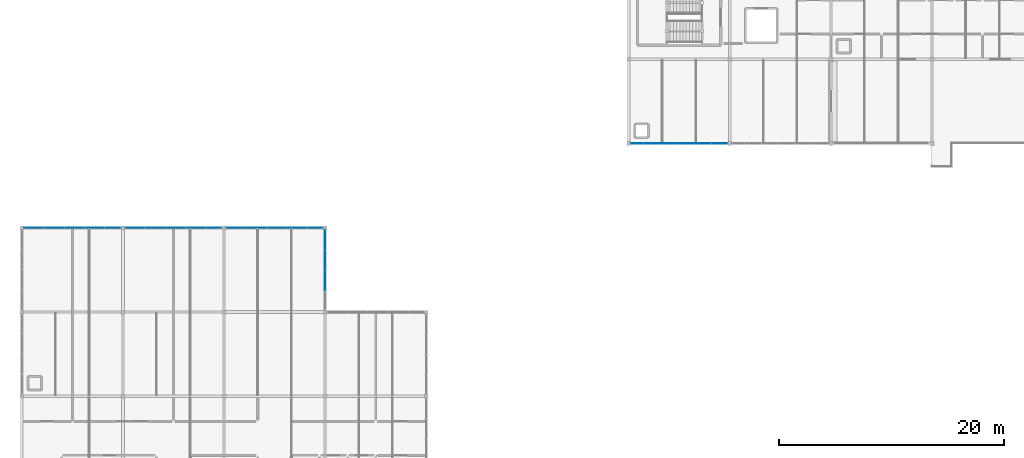
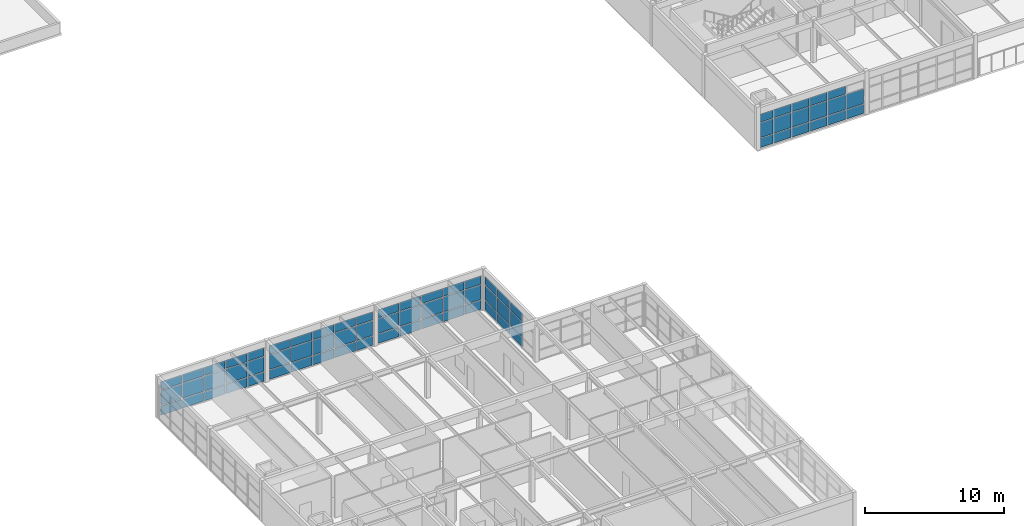
# One storey, part 13 of 24: 71 plates, 5 elements without a shape of their own.
"""IFC4 building model written with IfcOpenShell, lengths in metres."""

from ifc_helpers import new_model, si_unit, direction, frame, origin, origin_2d, place, context, subcontext, project, spatial, rectangle, extrude, material, layer, layer_set, type_object, element, aggregate, save


model = new_model("IFC4")

# Units and contexts
model_context = context("Model", 3, precision=1e-05, world=origin(), true_north=direction((0.0, 1.0)))
body_context = subcontext(model_context, "Body", "Model", "MODEL_VIEW")
ifc_project = project(units=[si_unit("LENGTHUNIT", "METRE"), si_unit("AREAUNIT", "SQUARE_METRE"), si_unit("VOLUMEUNIT", "CUBIC_METRE"), si_unit("PLANEANGLEUNIT", "RADIAN"), si_unit("MASSUNIT", "GRAM", prefix="KILO")], contexts=[model_context])

# Site, building, storey
site_placement = place(None, origin())
site = spatial("IfcSite", under=ifc_project, at=site_placement, CompositionType="ELEMENT")
building_placement = place(site_placement, origin())
building = spatial("IfcBuilding", under=site, at=building_placement, Name="Marnridge Secondary College", CompositionType="ELEMENT")
storey_placement = place(building_placement, frame((0.0, 0.0, 16.10009765625)))
storey = spatial("IfcBuildingStorey", under=building, at=storey_placement, Name="L04", CompositionType="ELEMENT", Elevation=16.10009765625)

# Curtain wall, plates
ifc_material_1 = material(Name="Thermally broken aluminium and low-E glazing", Category="aluminium")
ifc_layer_1 = layer(ifc_material_1, 0.159912109375)
ifc_layer_set_1 = layer_set([ifc_layer_1], Name="CW-MOD-1500")
curtain_wall_type_1 = type_object("IfcCurtainWallType", Name="CW-MOD-1500", PredefinedType="NOTDEFINED", material=ifc_layer_set_1)
curtain_wall_1_placement = place(storey_placement, origin())
curtain_wall_1 = element("IfcCurtainWall", 1, at=curtain_wall_1_placement, inside=storey, type_object=curtain_wall_type_1, Name="Unitised curtain wall CW-L04-139", PredefinedType="NOTDEFINED")
ifc_material_2 = material(Name="Double-glazed low-E argon unit", Category="glass")
ifc_layer_2 = layer(ifc_material_2, 0.028076171875)
ifc_layer_set_2 = layer_set([ifc_layer_2], Name="CWP-GLZ28")
plate_type_1 = type_object("IfcPlateType", Name="CWP-GLZ28", PredefinedType="CURTAIN_PANEL", material=ifc_layer_set_2)
plate_1_placement = place(storey_placement, frame((62.05859375, 45.0, 0.059814453125), z_axis=(0.0, 0.0, 1.0), x_axis=(-1.0, 0.0, 0.0)))
plate_1 = element("IfcPlate", 2, at=plate_1_placement, type_object=plate_type_1, Name="CW-L04-139 panel 1.1", PredefinedType="CURTAIN_PANEL", context=body_context, shape_type="SweptSolid", body=[
    extrude(rectangle(XDim=1.43994140625, YDim=0.028076171875, at=origin_2d()), origin(), (0.0, 0.0, 1.0), 0.81005859375),
])
plate_2_placement = place(storey_placement, frame((62.05859375, 45.0, 0.929931640625), z_axis=(0.0, 0.0, 1.0), x_axis=(-1.0, 0.0, 0.0)))
plate_2 = element("IfcPlate", 3, at=plate_2_placement, type_object=plate_type_1, Name="CW-L04-139 panel 1.2", PredefinedType="CURTAIN_PANEL", context=body_context, shape_type="SweptSolid", body=[
    extrude(rectangle(XDim=1.43994140625, YDim=0.028076171875, at=origin_2d()), origin(), (0.0, 0.0, 1.0), 1.2900390625),
])
plate_3_placement = place(storey_placement, frame((60.55859375, 45.0, 0.059814453125), z_axis=(0.0, 0.0, 1.0), x_axis=(-1.0, 0.0, 0.0)))
plate_3 = element("IfcPlate", 4, at=plate_3_placement, type_object=plate_type_1, Name="CW-L04-139 panel 2.1", PredefinedType="CURTAIN_PANEL", context=body_context, shape_type="SweptSolid", body=[
    extrude(rectangle(XDim=1.43994140625, YDim=0.028076171875, at=origin_2d()), origin(), (0.0, 0.0, 1.0), 0.81005859375),
])
plate_4_placement = place(storey_placement, frame((60.55859375, 45.0, 0.929931640625), z_axis=(0.0, 0.0, 1.0), x_axis=(-1.0, 0.0, 0.0)))
plate_4 = element("IfcPlate", 5, at=plate_4_placement, type_object=plate_type_1, Name="CW-L04-139 panel 2.2", PredefinedType="CURTAIN_PANEL", context=body_context, shape_type="SweptSolid", body=[
    extrude(rectangle(XDim=1.43994140625, YDim=0.028076171875, at=origin_2d()), origin(), (0.0, 0.0, 1.0), 1.2900390625),
])
plate_5_placement = place(storey_placement, frame((60.55859375, 45.0, 2.27978515625), z_axis=(0.0, 0.0, 1.0), x_axis=(-1.0, 0.0, 0.0)))
plate_5 = element("IfcPlate", 6, at=plate_5_placement, type_object=plate_type_1, Name="CW-L04-139 panel 2.3", PredefinedType="CURTAIN_PANEL", context=body_context, shape_type="SweptSolid", body=[
    extrude(rectangle(XDim=1.43994140625, YDim=0.028076171875, at=origin_2d()), origin(), (0.0, 0.0, 1.0), 0.70703125),
])
plate_6_placement = place(storey_placement, frame((59.05859375, 45.0, 0.059814453125), z_axis=(0.0, 0.0, 1.0), x_axis=(-1.0, 0.0, 0.0)))
plate_6 = element("IfcPlate", 7, at=plate_6_placement, type_object=plate_type_1, Name="CW-L04-139 panel 3.1", PredefinedType="CURTAIN_PANEL", context=body_context, shape_type="SweptSolid", body=[
    extrude(rectangle(XDim=1.43994140625, YDim=0.028076171875, at=origin_2d()), origin(), (0.0, 0.0, 1.0), 0.81005859375),
])
plate_7_placement = place(storey_placement, frame((59.05859375, 45.0, 0.929931640625), z_axis=(0.0, 0.0, 1.0), x_axis=(-1.0, 0.0, 0.0)))
plate_7 = element("IfcPlate", 8, at=plate_7_placement, type_object=plate_type_1, Name="CW-L04-139 panel 3.2", PredefinedType="CURTAIN_PANEL", context=body_context, shape_type="SweptSolid", body=[
    extrude(rectangle(XDim=1.43994140625, YDim=0.028076171875, at=origin_2d()), origin(), (0.0, 0.0, 1.0), 1.2900390625),
])
plate_8_placement = place(storey_placement, frame((59.05859375, 45.0, 2.27978515625), z_axis=(0.0, 0.0, 1.0), x_axis=(-1.0, 0.0, 0.0)))
plate_8 = element("IfcPlate", 9, at=plate_8_placement, type_object=plate_type_1, Name="CW-L04-139 panel 3.3", PredefinedType="CURTAIN_PANEL", context=body_context, shape_type="SweptSolid", body=[
    extrude(rectangle(XDim=1.43994140625, YDim=0.028076171875, at=origin_2d()), origin(), (0.0, 0.0, 1.0), 0.70703125),
])
plate_9_placement = place(storey_placement, frame((57.55859375, 45.0, 0.059814453125), z_axis=(0.0, 0.0, 1.0), x_axis=(-1.0, 0.0, 0.0)))
plate_9 = element("IfcPlate", 10, at=plate_9_placement, type_object=plate_type_1, Name="CW-L04-139 panel 4.1", PredefinedType="CURTAIN_PANEL", context=body_context, shape_type="SweptSolid", body=[
    extrude(rectangle(XDim=1.43994140625, YDim=0.028076171875, at=origin_2d()), origin(), (0.0, 0.0, 1.0), 0.81005859375),
])
plate_10_placement = place(storey_placement, frame((57.55859375, 45.0, 0.929931640625), z_axis=(0.0, 0.0, 1.0), x_axis=(-1.0, 0.0, 0.0)))
plate_10 = element("IfcPlate", 11, at=plate_10_placement, type_object=plate_type_1, Name="CW-L04-139 panel 4.2", PredefinedType="CURTAIN_PANEL", context=body_context, shape_type="SweptSolid", body=[
    extrude(rectangle(XDim=1.43994140625, YDim=0.028076171875, at=origin_2d()), origin(), (0.0, 0.0, 1.0), 1.2900390625),
])
plate_11_placement = place(storey_placement, frame((57.55859375, 45.0, 2.27978515625), z_axis=(0.0, 0.0, 1.0), x_axis=(-1.0, 0.0, 0.0)))
plate_11 = element("IfcPlate", 12, at=plate_11_placement, type_object=plate_type_1, Name="CW-L04-139 panel 4.3", PredefinedType="CURTAIN_PANEL", context=body_context, shape_type="SweptSolid", body=[
    extrude(rectangle(XDim=1.43994140625, YDim=0.028076171875, at=origin_2d()), origin(), (0.0, 0.0, 1.0), 0.70703125),
])
plate_12_placement = place(storey_placement, frame((56.05859375, 45.0, 0.059814453125), z_axis=(0.0, 0.0, 1.0), x_axis=(-1.0, 0.0, 0.0)))
plate_12 = element("IfcPlate", 13, at=plate_12_placement, type_object=plate_type_1, Name="CW-L04-139 panel 5.1", PredefinedType="CURTAIN_PANEL", context=body_context, shape_type="SweptSolid", body=[
    extrude(rectangle(XDim=1.43994140625, YDim=0.028076171875, at=origin_2d()), origin(), (0.0, 0.0, 1.0), 0.81005859375),
])
plate_13_placement = place(storey_placement, frame((56.05859375, 45.0, 0.929931640625), z_axis=(0.0, 0.0, 1.0), x_axis=(-1.0, 0.0, 0.0)))
plate_13 = element("IfcPlate", 14, at=plate_13_placement, type_object=plate_type_1, Name="CW-L04-139 panel 5.2", PredefinedType="CURTAIN_PANEL", context=body_context, shape_type="SweptSolid", body=[
    extrude(rectangle(XDim=1.43994140625, YDim=0.028076171875, at=origin_2d()), origin(), (0.0, 0.0, 1.0), 1.2900390625),
])
plate_14_placement = place(storey_placement, frame((56.05859375, 45.0, 2.27978515625), z_axis=(0.0, 0.0, 1.0), x_axis=(-1.0, 0.0, 0.0)))
plate_14 = element("IfcPlate", 15, at=plate_14_placement, type_object=plate_type_1, Name="CW-L04-139 panel 5.3", PredefinedType="CURTAIN_PANEL", context=body_context, shape_type="SweptSolid", body=[
    extrude(rectangle(XDim=1.43994140625, YDim=0.028076171875, at=origin_2d()), origin(), (0.0, 0.0, 1.0), 0.70703125),
])
plate_15_placement = place(storey_placement, frame((54.75, 45.0, 0.059814453125), z_axis=(0.0, 0.0, 1.0), x_axis=(-1.0, 0.0, 0.0)))
plate_15 = element("IfcPlate", 16, at=plate_15_placement, type_object=plate_type_1, Name="CW-L04-139 panel 6.1", PredefinedType="CURTAIN_PANEL", context=body_context, shape_type="SweptSolid", body=[
    extrude(rectangle(XDim=1.056884765625, YDim=0.028076171875, at=origin_2d()), origin(), (0.0, 0.0, 1.0), 0.81005859375),
])
plate_16_placement = place(storey_placement, frame((54.75, 45.0, 0.929931640625), z_axis=(0.0, 0.0, 1.0), x_axis=(-1.0, 0.0, 0.0)))
plate_16 = element("IfcPlate", 17, at=plate_16_placement, type_object=plate_type_1, Name="CW-L04-139 panel 6.2", PredefinedType="CURTAIN_PANEL", context=body_context, shape_type="SweptSolid", body=[
    extrude(rectangle(XDim=1.056884765625, YDim=0.028076171875, at=origin_2d()), origin(), (0.0, 0.0, 1.0), 1.2900390625),
])
plate_17_placement = place(storey_placement, frame((54.75, 45.0, 2.27978515625), z_axis=(0.0, 0.0, 1.0), x_axis=(-1.0, 0.0, 0.0)))
plate_17 = element("IfcPlate", 18, at=plate_17_placement, type_object=plate_type_1, Name="CW-L04-139 panel 6.3", PredefinedType="CURTAIN_PANEL", context=body_context, shape_type="SweptSolid", body=[
    extrude(rectangle(XDim=1.056884765625, YDim=0.028076171875, at=origin_2d()), origin(), (0.0, 0.0, 1.0), 0.70703125),
])
aggregate(curtain_wall_1, [plate_1, plate_2, plate_3, plate_4, plate_5, plate_6, plate_7, plate_8, plate_9, plate_10, plate_11, plate_12, plate_13, plate_14, plate_15, plate_16, plate_17])

ifc_material_3 = material(Name="Bronze-anodised aluminium and solar-control glazing", Category="aluminium")
ifc_layer_3 = layer(ifc_material_3, 0.199951171875)
ifc_layer_set_3 = layer_set([ifc_layer_3], Name="CW-MOD-1800")
curtain_wall_type_2 = type_object("IfcCurtainWallType", Name="CW-MOD-1800", PredefinedType="NOTDEFINED", material=ifc_layer_set_3)
curtain_wall_2_placement = place(storey_placement, origin())
curtain_wall_2 = element("IfcCurtainWall", 19, at=curtain_wall_2_placement, inside=storey, type_object=curtain_wall_type_2, Name="Unitised curtain wall CW-L04-140", PredefinedType="NOTDEFINED")
ifc_material_4 = material(Name="Acoustic laminated solar-control double glazing", Category="glass")
ifc_layer_4 = layer(ifc_material_4, 0.035888671875)
ifc_layer_set_4 = layer_set([ifc_layer_4], Name="CWP-GLZ36")
plate_type_2 = type_object("IfcPlateType", Name="CWP-GLZ36", PredefinedType="CURTAIN_PANEL", material=ifc_layer_set_4)
plate_18_placement = place(storey_placement, frame((1.096435546875, 37.5, 0.06494140625), z_axis=(0.0, 0.0, 1.0), x_axis=(1.0, 0.0, 0.0)))
plate_18 = element("IfcPlate", 20, at=plate_18_placement, type_object=plate_type_2, Name="CW-L04-140 panel 1.1", PredefinedType="CURTAIN_PANEL", context=body_context, shape_type="SweptSolid", body=[
    extrude(rectangle(XDim=1.72998046875, YDim=0.035888671875, at=origin_2d()), origin(), (0.0, 0.0, 1.0), 0.802490234375),
])
plate_19_placement = place(storey_placement, frame((1.096435546875, 37.5, 0.9326171875), z_axis=(0.0, 0.0, 1.0), x_axis=(1.0, 0.0, 0.0)))
plate_19 = element("IfcPlate", 21, at=plate_19_placement, type_object=plate_type_2, Name="CW-L04-140 panel 1.2", PredefinedType="CURTAIN_PANEL", context=body_context, shape_type="SweptSolid", body=[
    extrude(rectangle(XDim=1.72998046875, YDim=0.035888671875, at=origin_2d()), origin(), (0.0, 0.0, 1.0), 1.284912109375),
])
plate_20_placement = place(storey_placement, frame((1.096435546875, 37.5, 2.282470703125), z_axis=(0.0, 0.0, 1.0), x_axis=(1.0, 0.0, 0.0)))
plate_20 = element("IfcPlate", 22, at=plate_20_placement, type_object=plate_type_2, Name="CW-L04-140 panel 1.3", PredefinedType="CURTAIN_PANEL", context=body_context, shape_type="SweptSolid", body=[
    extrude(rectangle(XDim=1.72998046875, YDim=0.035888671875, at=origin_2d()), origin(), (0.0, 0.0, 1.0), 0.70947265625),
])
plate_21_placement = place(storey_placement, frame((2.896484375, 37.5, 0.06494140625), z_axis=(0.0, 0.0, 1.0), x_axis=(1.0, 0.0, 0.0)))
plate_21 = element("IfcPlate", 23, at=plate_21_placement, type_object=plate_type_2, Name="CW-L04-140 panel 2.1", PredefinedType="CURTAIN_PANEL", context=body_context, shape_type="SweptSolid", body=[
    extrude(rectangle(XDim=1.72998046875, YDim=0.035888671875, at=origin_2d()), origin(), (0.0, 0.0, 1.0), 0.802490234375),
])
plate_22_placement = place(storey_placement, frame((2.896484375, 37.5, 0.9326171875), z_axis=(0.0, 0.0, 1.0), x_axis=(1.0, 0.0, 0.0)))
plate_22 = element("IfcPlate", 24, at=plate_22_placement, type_object=plate_type_2, Name="CW-L04-140 panel 2.2", PredefinedType="CURTAIN_PANEL", context=body_context, shape_type="SweptSolid", body=[
    extrude(rectangle(XDim=1.72998046875, YDim=0.035888671875, at=origin_2d()), origin(), (0.0, 0.0, 1.0), 1.284912109375),
])
plate_23_placement = place(storey_placement, frame((2.896484375, 37.5, 2.282470703125), z_axis=(0.0, 0.0, 1.0), x_axis=(1.0, 0.0, 0.0)))
plate_23 = element("IfcPlate", 25, at=plate_23_placement, type_object=plate_type_2, Name="CW-L04-140 panel 2.3", PredefinedType="CURTAIN_PANEL", context=body_context, shape_type="SweptSolid", body=[
    extrude(rectangle(XDim=1.72998046875, YDim=0.035888671875, at=origin_2d()), origin(), (0.0, 0.0, 1.0), 0.70947265625),
])
plate_24_placement = place(storey_placement, frame((4.696533203125, 37.5, 0.06494140625), z_axis=(0.0, 0.0, 1.0), x_axis=(1.0, 0.0, 0.0)))
plate_24 = element("IfcPlate", 26, at=plate_24_placement, type_object=plate_type_2, Name="CW-L04-140 panel 3.1", PredefinedType="CURTAIN_PANEL", context=body_context, shape_type="SweptSolid", body=[
    extrude(rectangle(XDim=1.72998046875, YDim=0.035888671875, at=origin_2d()), origin(), (0.0, 0.0, 1.0), 0.802490234375),
])
plate_25_placement = place(storey_placement, frame((4.696533203125, 37.5, 0.9326171875), z_axis=(0.0, 0.0, 1.0), x_axis=(1.0, 0.0, 0.0)))
plate_25 = element("IfcPlate", 27, at=plate_25_placement, type_object=plate_type_2, Name="CW-L04-140 panel 3.2", PredefinedType="CURTAIN_PANEL", context=body_context, shape_type="SweptSolid", body=[
    extrude(rectangle(XDim=1.72998046875, YDim=0.035888671875, at=origin_2d()), origin(), (0.0, 0.0, 1.0), 1.284912109375),
])
plate_26_placement = place(storey_placement, frame((4.696533203125, 37.5, 2.282470703125), z_axis=(0.0, 0.0, 1.0), x_axis=(1.0, 0.0, 0.0)))
plate_26 = element("IfcPlate", 28, at=plate_26_placement, type_object=plate_type_2, Name="CW-L04-140 panel 3.3", PredefinedType="CURTAIN_PANEL", context=body_context, shape_type="SweptSolid", body=[
    extrude(rectangle(XDim=1.72998046875, YDim=0.035888671875, at=origin_2d()), origin(), (0.0, 0.0, 1.0), 0.70947265625),
])
plate_27_placement = place(storey_placement, frame((6.49658203125, 37.5, 0.06494140625), z_axis=(0.0, 0.0, 1.0), x_axis=(1.0, 0.0, 0.0)))
plate_27 = element("IfcPlate", 29, at=plate_27_placement, type_object=plate_type_2, Name="CW-L04-140 panel 4.1", PredefinedType="CURTAIN_PANEL", context=body_context, shape_type="SweptSolid", body=[
    extrude(rectangle(XDim=1.72998046875, YDim=0.035888671875, at=origin_2d()), origin(), (0.0, 0.0, 1.0), 0.802490234375),
])
plate_28_placement = place(storey_placement, frame((6.49658203125, 37.5, 0.9326171875), z_axis=(0.0, 0.0, 1.0), x_axis=(1.0, 0.0, 0.0)))
plate_28 = element("IfcPlate", 30, at=plate_28_placement, type_object=plate_type_2, Name="CW-L04-140 panel 4.2", PredefinedType="CURTAIN_PANEL", context=body_context, shape_type="SweptSolid", body=[
    extrude(rectangle(XDim=1.72998046875, YDim=0.035888671875, at=origin_2d()), origin(), (0.0, 0.0, 1.0), 1.284912109375),
])
plate_29_placement = place(storey_placement, frame((6.49658203125, 37.5, 2.282470703125), z_axis=(0.0, 0.0, 1.0), x_axis=(1.0, 0.0, 0.0)))
plate_29 = element("IfcPlate", 31, at=plate_29_placement, type_object=plate_type_2, Name="CW-L04-140 panel 4.3", PredefinedType="CURTAIN_PANEL", context=body_context, shape_type="SweptSolid", body=[
    extrude(rectangle(XDim=1.72998046875, YDim=0.035888671875, at=origin_2d()), origin(), (0.0, 0.0, 1.0), 0.70947265625),
])
plate_30_placement = place(storey_placement, frame((8.10009765625, 37.5, 0.06494140625), z_axis=(0.0, 0.0, 1.0), x_axis=(1.0, 0.0, 0.0)))
plate_30 = element("IfcPlate", 32, at=plate_30_placement, type_object=plate_type_2, Name="CW-L04-140 panel 5.1", PredefinedType="CURTAIN_PANEL", context=body_context, shape_type="SweptSolid", body=[
    extrude(rectangle(XDim=1.3369140625, YDim=0.035888671875, at=origin_2d()), origin(), (0.0, 0.0, 1.0), 0.802490234375),
])
plate_31_placement = place(storey_placement, frame((8.10009765625, 37.5, 0.9326171875), z_axis=(0.0, 0.0, 1.0), x_axis=(1.0, 0.0, 0.0)))
plate_31 = element("IfcPlate", 33, at=plate_31_placement, type_object=plate_type_2, Name="CW-L04-140 panel 5.2", PredefinedType="CURTAIN_PANEL", context=body_context, shape_type="SweptSolid", body=[
    extrude(rectangle(XDim=1.3369140625, YDim=0.035888671875, at=origin_2d()), origin(), (0.0, 0.0, 1.0), 1.284912109375),
])
plate_32_placement = place(storey_placement, frame((8.10009765625, 37.5, 2.282470703125), z_axis=(0.0, 0.0, 1.0), x_axis=(1.0, 0.0, 0.0)))
plate_32 = element("IfcPlate", 34, at=plate_32_placement, type_object=plate_type_2, Name="CW-L04-140 panel 5.3", PredefinedType="CURTAIN_PANEL", context=body_context, shape_type="SweptSolid", body=[
    extrude(rectangle(XDim=1.3369140625, YDim=0.035888671875, at=origin_2d()), origin(), (0.0, 0.0, 1.0), 0.70947265625),
])
aggregate(curtain_wall_2, [plate_18, plate_19, plate_20, plate_21, plate_22, plate_23, plate_24, plate_25, plate_26, plate_27, plate_28, plate_29, plate_30, plate_31, plate_32])

curtain_wall_3_placement = place(storey_placement, origin())
curtain_wall_3 = element("IfcCurtainWall", 35, at=curtain_wall_3_placement, inside=storey, type_object=curtain_wall_type_2, Name="Unitised curtain wall CW-L04-141", PredefinedType="NOTDEFINED")
plate_33_placement = place(storey_placement, frame((10.096435546875, 37.5, 0.06494140625), z_axis=(0.0, 0.0, 1.0), x_axis=(1.0, 0.0, 0.0)))
plate_33 = element("IfcPlate", 36, at=plate_33_placement, type_object=plate_type_2, Name="CW-L04-141 panel 1.1", PredefinedType="CURTAIN_PANEL", context=body_context, shape_type="SweptSolid", body=[
    extrude(rectangle(XDim=1.72998046875, YDim=0.035888671875, at=origin_2d()), origin(), (0.0, 0.0, 1.0), 0.802490234375),
])
plate_34_placement = place(storey_placement, frame((10.096435546875, 37.5, 0.9326171875), z_axis=(0.0, 0.0, 1.0), x_axis=(1.0, 0.0, 0.0)))
plate_34 = element("IfcPlate", 37, at=plate_34_placement, type_object=plate_type_2, Name="CW-L04-141 panel 1.2", PredefinedType="CURTAIN_PANEL", context=body_context, shape_type="SweptSolid", body=[
    extrude(rectangle(XDim=1.72998046875, YDim=0.035888671875, at=origin_2d()), origin(), (0.0, 0.0, 1.0), 1.284912109375),
])
plate_35_placement = place(storey_placement, frame((10.096435546875, 37.5, 2.282470703125), z_axis=(0.0, 0.0, 1.0), x_axis=(1.0, 0.0, 0.0)))
plate_35 = element("IfcPlate", 38, at=plate_35_placement, type_object=plate_type_2, Name="CW-L04-141 panel 1.3", PredefinedType="CURTAIN_PANEL", context=body_context, shape_type="SweptSolid", body=[
    extrude(rectangle(XDim=1.72998046875, YDim=0.035888671875, at=origin_2d()), origin(), (0.0, 0.0, 1.0), 0.70947265625),
])
plate_36_placement = place(storey_placement, frame((11.896484375, 37.5, 0.06494140625), z_axis=(0.0, 0.0, 1.0), x_axis=(1.0, 0.0, 0.0)))
plate_36 = element("IfcPlate", 39, at=plate_36_placement, type_object=plate_type_2, Name="CW-L04-141 panel 2.1", PredefinedType="CURTAIN_PANEL", context=body_context, shape_type="SweptSolid", body=[
    extrude(rectangle(XDim=1.72998046875, YDim=0.035888671875, at=origin_2d()), origin(), (0.0, 0.0, 1.0), 0.802490234375),
])
plate_37_placement = place(storey_placement, frame((11.896484375, 37.5, 0.9326171875), z_axis=(0.0, 0.0, 1.0), x_axis=(1.0, 0.0, 0.0)))
plate_37 = element("IfcPlate", 40, at=plate_37_placement, type_object=plate_type_2, Name="CW-L04-141 panel 2.2", PredefinedType="CURTAIN_PANEL", context=body_context, shape_type="SweptSolid", body=[
    extrude(rectangle(XDim=1.72998046875, YDim=0.035888671875, at=origin_2d()), origin(), (0.0, 0.0, 1.0), 1.284912109375),
])
plate_38_placement = place(storey_placement, frame((11.896484375, 37.5, 2.282470703125), z_axis=(0.0, 0.0, 1.0), x_axis=(1.0, 0.0, 0.0)))
plate_38 = element("IfcPlate", 41, at=plate_38_placement, type_object=plate_type_2, Name="CW-L04-141 panel 2.3", PredefinedType="CURTAIN_PANEL", context=body_context, shape_type="SweptSolid", body=[
    extrude(rectangle(XDim=1.72998046875, YDim=0.035888671875, at=origin_2d()), origin(), (0.0, 0.0, 1.0), 0.70947265625),
])
plate_39_placement = place(storey_placement, frame((13.696533203125, 37.5, 0.06494140625), z_axis=(0.0, 0.0, 1.0), x_axis=(1.0, 0.0, 0.0)))
plate_39 = element("IfcPlate", 42, at=plate_39_placement, type_object=plate_type_2, Name="CW-L04-141 panel 3.1", PredefinedType="CURTAIN_PANEL", context=body_context, shape_type="SweptSolid", body=[
    extrude(rectangle(XDim=1.72998046875, YDim=0.035888671875, at=origin_2d()), origin(), (0.0, 0.0, 1.0), 0.802490234375),
])
plate_40_placement = place(storey_placement, frame((13.696533203125, 37.5, 0.9326171875), z_axis=(0.0, 0.0, 1.0), x_axis=(1.0, 0.0, 0.0)))
plate_40 = element("IfcPlate", 43, at=plate_40_placement, type_object=plate_type_2, Name="CW-L04-141 panel 3.2", PredefinedType="CURTAIN_PANEL", context=body_context, shape_type="SweptSolid", body=[
    extrude(rectangle(XDim=1.72998046875, YDim=0.035888671875, at=origin_2d()), origin(), (0.0, 0.0, 1.0), 1.284912109375),
])
plate_41_placement = place(storey_placement, frame((13.696533203125, 37.5, 2.282470703125), z_axis=(0.0, 0.0, 1.0), x_axis=(1.0, 0.0, 0.0)))
plate_41 = element("IfcPlate", 44, at=plate_41_placement, type_object=plate_type_2, Name="CW-L04-141 panel 3.3", PredefinedType="CURTAIN_PANEL", context=body_context, shape_type="SweptSolid", body=[
    extrude(rectangle(XDim=1.72998046875, YDim=0.035888671875, at=origin_2d()), origin(), (0.0, 0.0, 1.0), 0.70947265625),
])
plate_42_placement = place(storey_placement, frame((15.49658203125, 37.5, 0.06494140625), z_axis=(0.0, 0.0, 1.0), x_axis=(1.0, 0.0, 0.0)))
plate_42 = element("IfcPlate", 45, at=plate_42_placement, type_object=plate_type_2, Name="CW-L04-141 panel 4.1", PredefinedType="CURTAIN_PANEL", context=body_context, shape_type="SweptSolid", body=[
    extrude(rectangle(XDim=1.72998046875, YDim=0.035888671875, at=origin_2d()), origin(), (0.0, 0.0, 1.0), 0.802490234375),
])
plate_43_placement = place(storey_placement, frame((15.49658203125, 37.5, 0.9326171875), z_axis=(0.0, 0.0, 1.0), x_axis=(1.0, 0.0, 0.0)))
plate_43 = element("IfcPlate", 46, at=plate_43_placement, type_object=plate_type_2, Name="CW-L04-141 panel 4.2", PredefinedType="CURTAIN_PANEL", context=body_context, shape_type="SweptSolid", body=[
    extrude(rectangle(XDim=1.72998046875, YDim=0.035888671875, at=origin_2d()), origin(), (0.0, 0.0, 1.0), 1.284912109375),
])
plate_44_placement = place(storey_placement, frame((15.49658203125, 37.5, 2.282470703125), z_axis=(0.0, 0.0, 1.0), x_axis=(1.0, 0.0, 0.0)))
plate_44 = element("IfcPlate", 47, at=plate_44_placement, type_object=plate_type_2, Name="CW-L04-141 panel 4.3", PredefinedType="CURTAIN_PANEL", context=body_context, shape_type="SweptSolid", body=[
    extrude(rectangle(XDim=1.72998046875, YDim=0.035888671875, at=origin_2d()), origin(), (0.0, 0.0, 1.0), 0.70947265625),
])
plate_45_placement = place(storey_placement, frame((17.10009765625, 37.5, 0.06494140625), z_axis=(0.0, 0.0, 1.0), x_axis=(1.0, 0.0, 0.0)))
plate_45 = element("IfcPlate", 48, at=plate_45_placement, type_object=plate_type_2, Name="CW-L04-141 panel 5.1", PredefinedType="CURTAIN_PANEL", context=body_context, shape_type="SweptSolid", body=[
    extrude(rectangle(XDim=1.3369140625, YDim=0.035888671875, at=origin_2d()), origin(), (0.0, 0.0, 1.0), 0.802490234375),
])
plate_46_placement = place(storey_placement, frame((17.10009765625, 37.5, 0.9326171875), z_axis=(0.0, 0.0, 1.0), x_axis=(1.0, 0.0, 0.0)))
plate_46 = element("IfcPlate", 49, at=plate_46_placement, type_object=plate_type_2, Name="CW-L04-141 panel 5.2", PredefinedType="CURTAIN_PANEL", context=body_context, shape_type="SweptSolid", body=[
    extrude(rectangle(XDim=1.3369140625, YDim=0.035888671875, at=origin_2d()), origin(), (0.0, 0.0, 1.0), 1.284912109375),
])
plate_47_placement = place(storey_placement, frame((17.10009765625, 37.5, 2.282470703125), z_axis=(0.0, 0.0, 1.0), x_axis=(1.0, 0.0, 0.0)))
plate_47 = element("IfcPlate", 50, at=plate_47_placement, type_object=plate_type_2, Name="CW-L04-141 panel 5.3", PredefinedType="CURTAIN_PANEL", context=body_context, shape_type="SweptSolid", body=[
    extrude(rectangle(XDim=1.3369140625, YDim=0.035888671875, at=origin_2d()), origin(), (0.0, 0.0, 1.0), 0.70947265625),
])
aggregate(curtain_wall_3, [plate_33, plate_34, plate_35, plate_36, plate_37, plate_38, plate_39, plate_40, plate_41, plate_42, plate_43, plate_44, plate_45, plate_46, plate_47])

curtain_wall_4_placement = place(storey_placement, origin())
curtain_wall_4 = element("IfcCurtainWall", 51, at=curtain_wall_4_placement, inside=storey, type_object=curtain_wall_type_2, Name="Unitised curtain wall CW-L04-142", PredefinedType="NOTDEFINED")
plate_48_placement = place(storey_placement, frame((19.096435546875, 37.5, 0.06494140625), z_axis=(0.0, 0.0, 1.0), x_axis=(1.0, 0.0, 0.0)))
plate_48 = element("IfcPlate", 52, at=plate_48_placement, type_object=plate_type_2, Name="CW-L04-142 panel 1.1", PredefinedType="CURTAIN_PANEL", context=body_context, shape_type="SweptSolid", body=[
    extrude(rectangle(XDim=1.72998046875, YDim=0.035888671875, at=origin_2d()), origin(), (0.0, 0.0, 1.0), 0.802490234375),
])
plate_49_placement = place(storey_placement, frame((19.096435546875, 37.5, 0.9326171875), z_axis=(0.0, 0.0, 1.0), x_axis=(1.0, 0.0, 0.0)))
plate_49 = element("IfcPlate", 53, at=plate_49_placement, type_object=plate_type_2, Name="CW-L04-142 panel 1.2", PredefinedType="CURTAIN_PANEL", context=body_context, shape_type="SweptSolid", body=[
    extrude(rectangle(XDim=1.72998046875, YDim=0.035888671875, at=origin_2d()), origin(), (0.0, 0.0, 1.0), 1.284912109375),
])
plate_50_placement = place(storey_placement, frame((19.096435546875, 37.5, 2.282470703125), z_axis=(0.0, 0.0, 1.0), x_axis=(1.0, 0.0, 0.0)))
plate_50 = element("IfcPlate", 54, at=plate_50_placement, type_object=plate_type_2, Name="CW-L04-142 panel 1.3", PredefinedType="CURTAIN_PANEL", context=body_context, shape_type="SweptSolid", body=[
    extrude(rectangle(XDim=1.72998046875, YDim=0.035888671875, at=origin_2d()), origin(), (0.0, 0.0, 1.0), 0.70947265625),
])
plate_51_placement = place(storey_placement, frame((20.896484375, 37.5, 0.06494140625), z_axis=(0.0, 0.0, 1.0), x_axis=(1.0, 0.0, 0.0)))
plate_51 = element("IfcPlate", 55, at=plate_51_placement, type_object=plate_type_2, Name="CW-L04-142 panel 2.1", PredefinedType="CURTAIN_PANEL", context=body_context, shape_type="SweptSolid", body=[
    extrude(rectangle(XDim=1.72998046875, YDim=0.035888671875, at=origin_2d()), origin(), (0.0, 0.0, 1.0), 0.802490234375),
])
plate_52_placement = place(storey_placement, frame((20.896484375, 37.5, 0.9326171875), z_axis=(0.0, 0.0, 1.0), x_axis=(1.0, 0.0, 0.0)))
plate_52 = element("IfcPlate", 56, at=plate_52_placement, type_object=plate_type_2, Name="CW-L04-142 panel 2.2", PredefinedType="CURTAIN_PANEL", context=body_context, shape_type="SweptSolid", body=[
    extrude(rectangle(XDim=1.72998046875, YDim=0.035888671875, at=origin_2d()), origin(), (0.0, 0.0, 1.0), 1.284912109375),
])
plate_53_placement = place(storey_placement, frame((20.896484375, 37.5, 2.282470703125), z_axis=(0.0, 0.0, 1.0), x_axis=(1.0, 0.0, 0.0)))
plate_53 = element("IfcPlate", 57, at=plate_53_placement, type_object=plate_type_2, Name="CW-L04-142 panel 2.3", PredefinedType="CURTAIN_PANEL", context=body_context, shape_type="SweptSolid", body=[
    extrude(rectangle(XDim=1.72998046875, YDim=0.035888671875, at=origin_2d()), origin(), (0.0, 0.0, 1.0), 0.70947265625),
])
plate_54_placement = place(storey_placement, frame((22.696533203125, 37.5, 0.06494140625), z_axis=(0.0, 0.0, 1.0), x_axis=(1.0, 0.0, 0.0)))
plate_54 = element("IfcPlate", 58, at=plate_54_placement, type_object=plate_type_2, Name="CW-L04-142 panel 3.1", PredefinedType="CURTAIN_PANEL", context=body_context, shape_type="SweptSolid", body=[
    extrude(rectangle(XDim=1.72998046875, YDim=0.035888671875, at=origin_2d()), origin(), (0.0, 0.0, 1.0), 0.802490234375),
])
plate_55_placement = place(storey_placement, frame((22.696533203125, 37.5, 0.9326171875), z_axis=(0.0, 0.0, 1.0), x_axis=(1.0, 0.0, 0.0)))
plate_55 = element("IfcPlate", 59, at=plate_55_placement, type_object=plate_type_2, Name="CW-L04-142 panel 3.2", PredefinedType="CURTAIN_PANEL", context=body_context, shape_type="SweptSolid", body=[
    extrude(rectangle(XDim=1.72998046875, YDim=0.035888671875, at=origin_2d()), origin(), (0.0, 0.0, 1.0), 1.284912109375),
])
plate_56_placement = place(storey_placement, frame((22.696533203125, 37.5, 2.282470703125), z_axis=(0.0, 0.0, 1.0), x_axis=(1.0, 0.0, 0.0)))
plate_56 = element("IfcPlate", 60, at=plate_56_placement, type_object=plate_type_2, Name="CW-L04-142 panel 3.3", PredefinedType="CURTAIN_PANEL", context=body_context, shape_type="SweptSolid", body=[
    extrude(rectangle(XDim=1.72998046875, YDim=0.035888671875, at=origin_2d()), origin(), (0.0, 0.0, 1.0), 0.70947265625),
])
plate_57_placement = place(storey_placement, frame((24.49658203125, 37.5, 0.06494140625), z_axis=(0.0, 0.0, 1.0), x_axis=(1.0, 0.0, 0.0)))
plate_57 = element("IfcPlate", 61, at=plate_57_placement, type_object=plate_type_2, Name="CW-L04-142 panel 4.1", PredefinedType="CURTAIN_PANEL", context=body_context, shape_type="SweptSolid", body=[
    extrude(rectangle(XDim=1.72998046875, YDim=0.035888671875, at=origin_2d()), origin(), (0.0, 0.0, 1.0), 0.802490234375),
])
plate_58_placement = place(storey_placement, frame((24.49658203125, 37.5, 0.9326171875), z_axis=(0.0, 0.0, 1.0), x_axis=(1.0, 0.0, 0.0)))
plate_58 = element("IfcPlate", 62, at=plate_58_placement, type_object=plate_type_2, Name="CW-L04-142 panel 4.2", PredefinedType="CURTAIN_PANEL", context=body_context, shape_type="SweptSolid", body=[
    extrude(rectangle(XDim=1.72998046875, YDim=0.035888671875, at=origin_2d()), origin(), (0.0, 0.0, 1.0), 1.284912109375),
])
plate_59_placement = place(storey_placement, frame((24.49658203125, 37.5, 2.282470703125), z_axis=(0.0, 0.0, 1.0), x_axis=(1.0, 0.0, 0.0)))
plate_59 = element("IfcPlate", 63, at=plate_59_placement, type_object=plate_type_2, Name="CW-L04-142 panel 4.3", PredefinedType="CURTAIN_PANEL", context=body_context, shape_type="SweptSolid", body=[
    extrude(rectangle(XDim=1.72998046875, YDim=0.035888671875, at=origin_2d()), origin(), (0.0, 0.0, 1.0), 0.70947265625),
])
plate_60_placement = place(storey_placement, frame((26.10009765625, 37.5, 0.06494140625), z_axis=(0.0, 0.0, 1.0), x_axis=(1.0, 0.0, 0.0)))
plate_60 = element("IfcPlate", 64, at=plate_60_placement, type_object=plate_type_2, Name="CW-L04-142 panel 5.1", PredefinedType="CURTAIN_PANEL", context=body_context, shape_type="SweptSolid", body=[
    extrude(rectangle(XDim=1.3369140625, YDim=0.035888671875, at=origin_2d()), origin(), (0.0, 0.0, 1.0), 0.802490234375),
])
plate_61_placement = place(storey_placement, frame((26.10009765625, 37.5, 0.9326171875), z_axis=(0.0, 0.0, 1.0), x_axis=(1.0, 0.0, 0.0)))
plate_61 = element("IfcPlate", 65, at=plate_61_placement, type_object=plate_type_2, Name="CW-L04-142 panel 5.2", PredefinedType="CURTAIN_PANEL", context=body_context, shape_type="SweptSolid", body=[
    extrude(rectangle(XDim=1.3369140625, YDim=0.035888671875, at=origin_2d()), origin(), (0.0, 0.0, 1.0), 1.284912109375),
])
plate_62_placement = place(storey_placement, frame((26.10009765625, 37.5, 2.282470703125), z_axis=(0.0, 0.0, 1.0), x_axis=(1.0, 0.0, 0.0)))
plate_62 = element("IfcPlate", 66, at=plate_62_placement, type_object=plate_type_2, Name="CW-L04-142 panel 5.3", PredefinedType="CURTAIN_PANEL", context=body_context, shape_type="SweptSolid", body=[
    extrude(rectangle(XDim=1.3369140625, YDim=0.035888671875, at=origin_2d()), origin(), (0.0, 0.0, 1.0), 0.70947265625),
])
aggregate(curtain_wall_4, [plate_48, plate_49, plate_50, plate_51, plate_52, plate_53, plate_54, plate_55, plate_56, plate_57, plate_58, plate_59, plate_60, plate_61, plate_62])

curtain_wall_5_placement = place(storey_placement, origin())
curtain_wall_5 = element("IfcCurtainWall", 67, at=curtain_wall_5_placement, inside=storey, type_object=curtain_wall_type_2, Name="Unitised curtain wall CW-L04-143", PredefinedType="NOTDEFINED")
plate_63_placement = place(storey_placement, frame((27.0, 36.403564453125, 0.06494140625), z_axis=(0.0, 0.0, 1.0), x_axis=(0.0, -1.0, 0.0)))
plate_63 = element("IfcPlate", 68, at=plate_63_placement, type_object=plate_type_2, Name="CW-L04-143 panel 1.1", PredefinedType="CURTAIN_PANEL", context=body_context, shape_type="SweptSolid", body=[
    extrude(rectangle(XDim=1.72998046875, YDim=0.035888671875, at=origin_2d()), origin(), (0.0, 0.0, 1.0), 0.802490234375),
])
plate_64_placement = place(storey_placement, frame((27.0, 36.403564453125, 0.9326171875), z_axis=(0.0, 0.0, 1.0), x_axis=(0.0, -1.0, 0.0)))
plate_64 = element("IfcPlate", 69, at=plate_64_placement, type_object=plate_type_2, Name="CW-L04-143 panel 1.2", PredefinedType="CURTAIN_PANEL", context=body_context, shape_type="SweptSolid", body=[
    extrude(rectangle(XDim=1.72998046875, YDim=0.035888671875, at=origin_2d()), origin(), (0.0, 0.0, 1.0), 1.284912109375),
])
plate_65_placement = place(storey_placement, frame((27.0, 36.403564453125, 2.282470703125), z_axis=(0.0, 0.0, 1.0), x_axis=(0.0, -1.0, 0.0)))
plate_65 = element("IfcPlate", 70, at=plate_65_placement, type_object=plate_type_2, Name="CW-L04-143 panel 1.3", PredefinedType="CURTAIN_PANEL", context=body_context, shape_type="SweptSolid", body=[
    extrude(rectangle(XDim=1.72998046875, YDim=0.035888671875, at=origin_2d()), origin(), (0.0, 0.0, 1.0), 0.70947265625),
])
plate_66_placement = place(storey_placement, frame((27.0, 34.603515625, 0.06494140625), z_axis=(0.0, 0.0, 1.0), x_axis=(0.0, -1.0, 0.0)))
plate_66 = element("IfcPlate", 71, at=plate_66_placement, type_object=plate_type_2, Name="CW-L04-143 panel 2.1", PredefinedType="CURTAIN_PANEL", context=body_context, shape_type="SweptSolid", body=[
    extrude(rectangle(XDim=1.72998046875, YDim=0.035888671875, at=origin_2d()), origin(), (0.0, 0.0, 1.0), 0.802490234375),
])
plate_67_placement = place(storey_placement, frame((27.0, 34.603515625, 0.9326171875), z_axis=(0.0, 0.0, 1.0), x_axis=(0.0, -1.0, 0.0)))
plate_67 = element("IfcPlate", 72, at=plate_67_placement, type_object=plate_type_2, Name="CW-L04-143 panel 2.2", PredefinedType="CURTAIN_PANEL", context=body_context, shape_type="SweptSolid", body=[
    extrude(rectangle(XDim=1.72998046875, YDim=0.035888671875, at=origin_2d()), origin(), (0.0, 0.0, 1.0), 1.284912109375),
])
plate_68_placement = place(storey_placement, frame((27.0, 34.603515625, 2.282470703125), z_axis=(0.0, 0.0, 1.0), x_axis=(0.0, -1.0, 0.0)))
plate_68 = element("IfcPlate", 73, at=plate_68_placement, type_object=plate_type_2, Name="CW-L04-143 panel 2.3", PredefinedType="CURTAIN_PANEL", context=body_context, shape_type="SweptSolid", body=[
    extrude(rectangle(XDim=1.72998046875, YDim=0.035888671875, at=origin_2d()), origin(), (0.0, 0.0, 1.0), 0.70947265625),
])
plate_69_placement = place(storey_placement, frame((27.0, 32.803466796875, 0.06494140625), z_axis=(0.0, 0.0, 1.0), x_axis=(0.0, -1.0, 0.0)))
plate_69 = element("IfcPlate", 74, at=plate_69_placement, type_object=plate_type_2, Name="CW-L04-143 panel 3.1", PredefinedType="CURTAIN_PANEL", context=body_context, shape_type="SweptSolid", body=[
    extrude(rectangle(XDim=1.72998046875, YDim=0.035888671875, at=origin_2d()), origin(), (0.0, 0.0, 1.0), 0.802490234375),
])
plate_70_placement = place(storey_placement, frame((27.0, 32.803466796875, 0.9326171875), z_axis=(0.0, 0.0, 1.0), x_axis=(0.0, -1.0, 0.0)))
plate_70 = element("IfcPlate", 75, at=plate_70_placement, type_object=plate_type_2, Name="CW-L04-143 panel 3.2", PredefinedType="CURTAIN_PANEL", context=body_context, shape_type="SweptSolid", body=[
    extrude(rectangle(XDim=1.72998046875, YDim=0.035888671875, at=origin_2d()), origin(), (0.0, 0.0, 1.0), 1.284912109375),
])
plate_71_placement = place(storey_placement, frame((27.0, 32.803466796875, 2.282470703125), z_axis=(0.0, 0.0, 1.0), x_axis=(0.0, -1.0, 0.0)))
plate_71 = element("IfcPlate", 76, at=plate_71_placement, type_object=plate_type_2, Name="CW-L04-143 panel 3.3", PredefinedType="CURTAIN_PANEL", context=body_context, shape_type="SweptSolid", body=[
    extrude(rectangle(XDim=1.72998046875, YDim=0.035888671875, at=origin_2d()), origin(), (0.0, 0.0, 1.0), 0.70947265625),
])
aggregate(curtain_wall_5, [plate_63, plate_64, plate_65, plate_66, plate_67, plate_68, plate_69, plate_70, plate_71])

save(model, "model.ifc")
